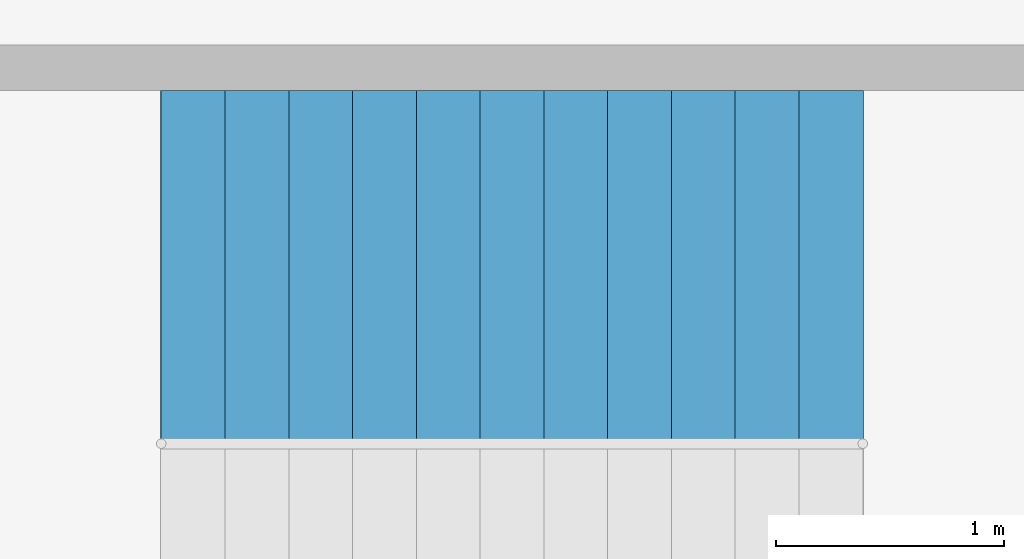
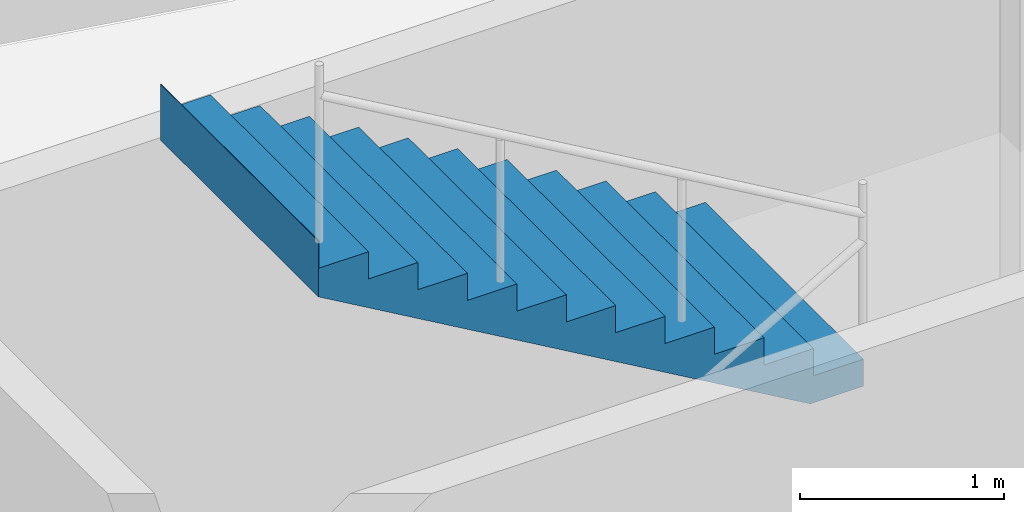
# One storey, part 7 of 9: 1 stair flight, 1 element without a shape of its own.
"""IFC4 building model written with IfcOpenShell, lengths in metres."""

from ifc_helpers import new_model, si_unit, direction, frame, origin, place, context, subcontext, project, spatial, polyline, outline, extrude, material, type_object, element, aggregate, save


model = new_model("IFC4")

# Units and contexts
model_context = context("Model", 3, precision=1e-05, world=origin(), true_north=direction((0.0, 1.0)))
body_context = subcontext(model_context, "Body", "Model", "MODEL_VIEW")
ifc_project = project(units=[si_unit("LENGTHUNIT", "METRE"), si_unit("AREAUNIT", "SQUARE_METRE"), si_unit("VOLUMEUNIT", "CUBIC_METRE"), si_unit("PLANEANGLEUNIT", "RADIAN"), si_unit("MASSUNIT", "GRAM", prefix="KILO")], contexts=[model_context])

# Site, building, storey
site_placement = place(None, origin())
site = spatial("IfcSite", under=ifc_project, at=site_placement, CompositionType="ELEMENT")
building_placement = place(site_placement, origin())
building = spatial("IfcBuilding", under=site, at=building_placement, Name="Qaws Garden Tower", CompositionType="ELEMENT")
storey_placement = place(building_placement, frame((0.0, 0.0, 255.300048828125)))
storey = spatial("IfcBuildingStorey", under=building, at=storey_placement, Name="L61", CompositionType="ELEMENT", Elevation=255.300048828125)

# Stair, stair flight
ifc_material_1 = material(Name="Concrete C40", Category="concrete")
stair_type = type_object("IfcStairType", Name="Exit stair 1350", PredefinedType="HALF_TURN_STAIR", material=ifc_material_1)
stair_placement = place(storey_placement, origin())
stair = element("IfcStair", 1, at=stair_placement, inside=storey, type_object=stair_type, Name="Stair 7", PredefinedType="HALF_TURN_STAIR")
ifc_material_2 = material(Name="Concrete C40", Category="concrete")
stair_flight_type = type_object("IfcStairFlightType", Name="Stair flight 1350", PredefinedType="STRAIGHT", material=ifc_material_2)
stair_flight_placement = place(storey_placement, frame((17.830078125, 68.925048828125, 1.949951171875), z_axis=(0.0, 0.0, 1.0), x_axis=(-1.0, 0.0, 0.0)))
stair_flight = element("IfcStairFlight", 2, at=stair_flight_placement, type_object=stair_flight_type, Name="ST7 flight 2", NumberOfRisers=12, NumberOfTreads=11, PredefinedType="STRAIGHT", RiserHeight=0.1625, TreadLength=0.28, context=body_context, shape_type="SweptSolid", body=[
    extrude(outline(polyline([(-0.0029296875, 0.0), (-0.0029296875, 0.16259765625), (0.0, 0.16259765625), (0.280029296875, 0.16259765625), (0.280029296875, 0.324951171875), (0.56005859375, 0.324951171875), (0.56005859375, 0.487548828125), (0.840087890625, 0.487548828125), (0.840087890625, 0.64990234375), (1.1201171875, 0.64990234375), (1.1201171875, 0.8125), (1.39990234375, 0.8125), (1.39990234375, 0.97509765625), (1.679931640625, 0.97509765625), (1.679931640625, 1.137451171875), (1.9599609375, 1.137451171875), (1.9599609375, 1.300048828125), (2.239990234375, 1.300048828125), (2.239990234375, 1.46240234375), (2.52001953125, 1.46240234375), (2.52001953125, 1.625), (2.800048828125, 1.625), (2.800048828125, 1.78759765625), (3.080078125, 1.78759765625), (3.080078125, 1.949951171875), (3.0830078125, 1.949951171875), (3.0830078125, 1.6142578125), (3.080078125, 1.6142578125), (0.298583984375, 0.0), (-0.0029296875, 0.0)])), frame((0.0, 0.77490234375, 0.0), z_axis=(0.0, -1.0, 0.0), x_axis=(1.0, 0.0, 0.0)), (0.0, 0.0, 1.0), 1.550048828125),
])
aggregate(stair, [stair_flight])

save(model, "model.ifc")
